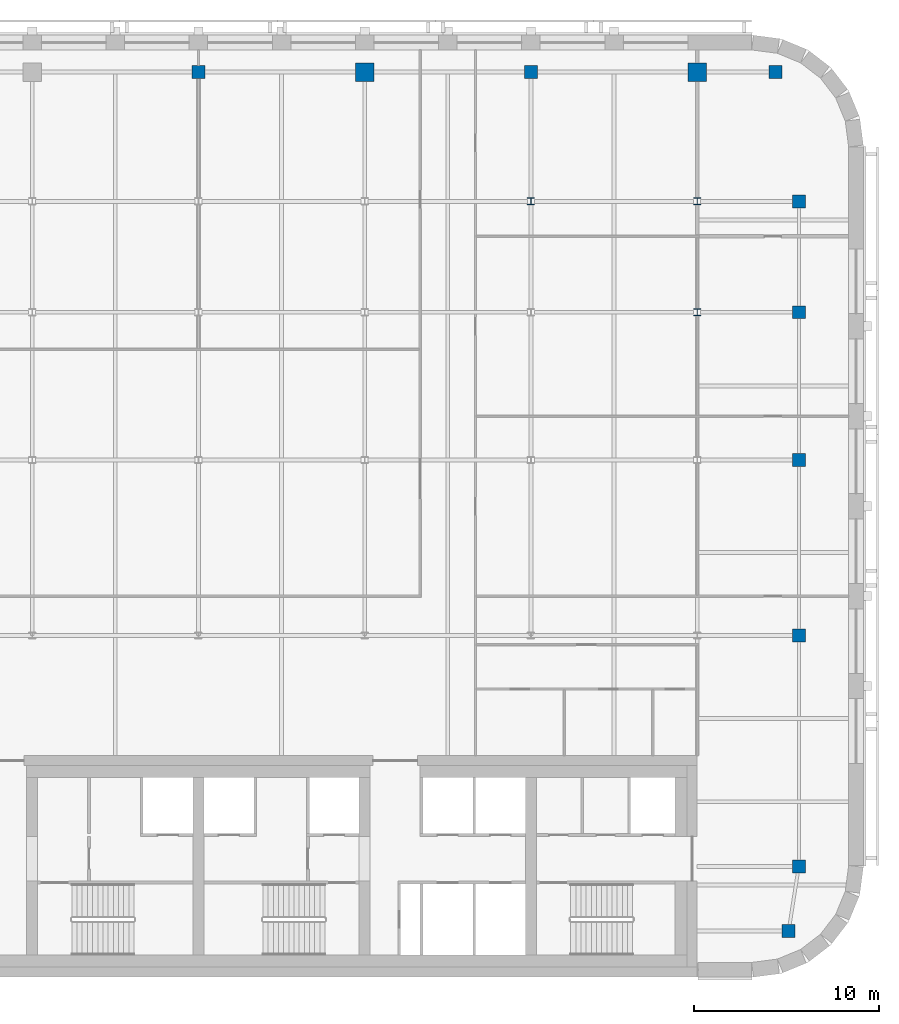
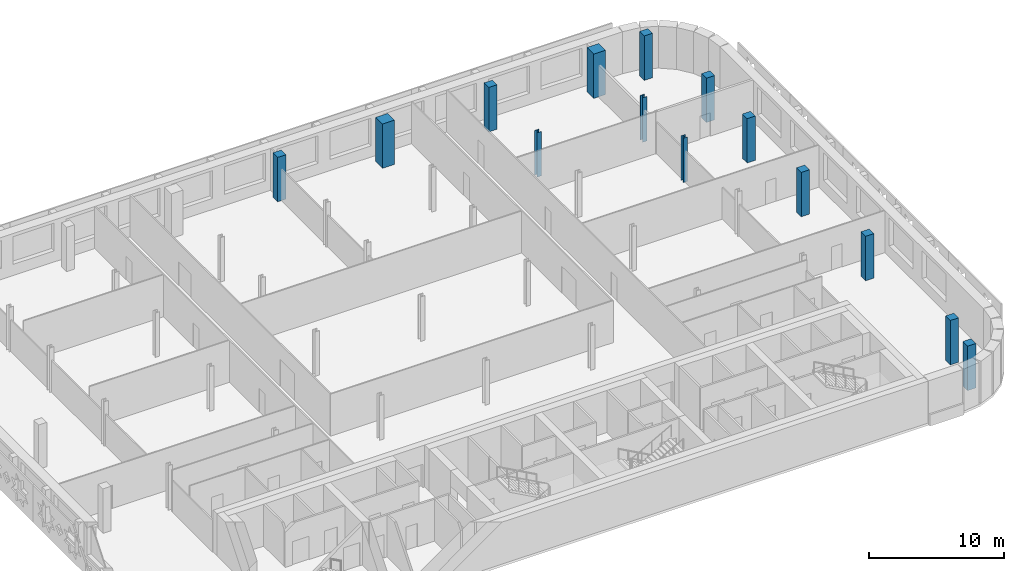
# One storey, part 4 of 16: 14 columns.
"""IFC4 building model written with IfcOpenShell, lengths in metres."""

from ifc_helpers import new_model, si_unit, direction, frame, origin, origin_2d, place, context, subcontext, project, spatial, rectangle, i_section, extrude, material, material_profile, profile_set, type_object, element, save


model = new_model("IFC4")

# Units and contexts
model_context = context("Model", 3, precision=1e-05, world=origin(), true_north=direction((0.0, 1.0)))
body_context = subcontext(model_context, "Body", "Model", "MODEL_VIEW")
ifc_project = project(units=[si_unit("LENGTHUNIT", "METRE"), si_unit("AREAUNIT", "SQUARE_METRE"), si_unit("VOLUMEUNIT", "CUBIC_METRE"), si_unit("PLANEANGLEUNIT", "RADIAN"), si_unit("MASSUNIT", "GRAM", prefix="KILO")], contexts=[model_context])

# Site, building, storey
site_placement = place(None, origin())
site = spatial("IfcSite", under=ifc_project, at=site_placement, CompositionType="ELEMENT")
building_placement = place(site_placement, origin())
building = spatial("IfcBuilding", under=site, at=building_placement, Name="Zellij Exchange Tower", CompositionType="ELEMENT")
storey_placement = place(building_placement, frame((0.0, 0.0, 280.5)))
storey = spatial("IfcBuildingStorey", under=building, at=storey_placement, Name="L66", CompositionType="ELEMENT", Elevation=280.5)

# Columns
ifc_material_1 = material(Name="Concrete C50/60", Category="concrete")
ifc_material_profile_1 = material_profile(ifc_material_1, rectangle(XDim=0.699951171875, YDim=0.699951171875, at=origin_2d()), Name="STR-COLUMN RC700x700 C50/60")
ifc_profile_set_1 = profile_set([ifc_material_profile_1], Name="Concrete C50/60")
column_type_1 = type_object("IfcColumnType", Name="STR-COLUMN RC700x700 C50/60", PredefinedType="COLUMN", material=ifc_profile_set_1)
for number, where, z_axis, x_axis, name in (
    (1, (31.949951171875, -11.5, 0.0), (0.0, 0.0, 1.0), (1.0, 0.0, 0.0), "C14"),
    (2, (32.5, -8.0, 0.0), (0.0, 0.0, 1.0), (1.0, 0.0, 0.0), "C14"),
    (3, (32.5, 4.5, 0.0), (0.0, 0.0, 1.0), (1.0, 0.0, 0.0), "C14"),
    (4, (32.5, 14.0, 0.0), (0.0, 0.0, 1.0), (1.0, 0.0, 0.0), "C14"),
    (5, (32.5, 22.0, 0.0), (0.0, 0.0, 1.0), (1.0, 0.0, 0.0), "C14"),
    (6, (32.5, 28.0, 0.0), (0.0, 0.0, 1.0), (1.0, 0.0, 0.0), "C14"),
    (7, (0.0, 35.0, 0.0), (0.0, 0.0, 1.0), (1.0, 0.0, 0.0), "C14"),
    (8, (18.0, 35.0, 0.0), (0.0, 0.0, 1.0), (1.0, 0.0, 0.0), "C14"),
    (9, (31.25, 35.0, 0.0), (0.0, 0.0, 1.0), (1.0, 0.0, 0.0), "C14"),
):
    element("IfcColumn", number, at=place(storey_placement, frame(where, z_axis=z_axis, x_axis=x_axis)), inside=storey, type_object=column_type_1, Name=name, PredefinedType="COLUMN", context=body_context, shape_type="SweptSolid", body=[
        extrude(rectangle(XDim=0.699951171875, YDim=0.699951171875, at=origin_2d()), origin(), (0.0, 0.0, 1.0), 4.0),
    ])
ifc_material_2 = material(Name="Structural steel ASTM A992 Gr 50", Category="steel")
ifc_material_profile_2 = material_profile(ifc_material_2, i_section(OverallWidth=0.373291015625, OverallDepth=0.373291015625, WebThickness=0.016357421875, FlangeThickness=0.026123046875, at=origin_2d()), Name="W14x132")
ifc_profile_set_2 = profile_set([ifc_material_profile_2], Name="Structural steel ASTM A992 Gr 50")
column_type_2 = type_object("IfcColumnType", Name="STR-COLUMN W14x132", PredefinedType="COLUMN", material=ifc_profile_set_2)
for number, where, z_axis, x_axis, name in (
    (10, (27.0, 22.0, 0.0), (0.0, 0.0, 1.0), (1.0, 0.0, 0.0), "C1"),
    (11, (18.0, 28.0, 0.0), (0.0, 0.0, 1.0), (1.0, 0.0, 0.0), "C1"),
    (12, (27.0, 28.0, 0.0), (0.0, 0.0, 1.0), (1.0, 0.0, 0.0), "C1"),
):
    element("IfcColumn", number, at=place(storey_placement, frame(where, z_axis=z_axis, x_axis=x_axis)), inside=storey, type_object=column_type_2, Name=name, PredefinedType="COLUMN", context=body_context, shape_type="SweptSolid", body=[
        extrude(i_section(OverallWidth=0.373291015625, OverallDepth=0.373291015625, WebThickness=0.016357421875, FlangeThickness=0.026123046875, at=origin_2d()), origin(), (0.0, 0.0, 1.0), 4.0),
    ])
ifc_material_profile_3 = material_profile(ifc_material_1, rectangle(XDim=1.0, YDim=1.0, at=origin_2d()), Name="STR-MEGA COLUMN RC1000x1000 C50/60")
ifc_profile_set_3 = profile_set([ifc_material_profile_3], Name="Concrete C50/60")
column_type_3 = type_object("IfcColumnType", Name="STR-MEGA COLUMN RC1000x1000 C50/60", PredefinedType="COLUMN", material=ifc_profile_set_3)
for number, where, z_axis, x_axis, name in (
    (13, (9.0, 35.0, 0.0), (0.0, 0.0, 1.0), (1.0, 0.0, 0.0), "MC1"),
    (14, (27.0, 35.0, 0.0), (0.0, 0.0, 1.0), (1.0, 0.0, 0.0), "MC1"),
):
    element("IfcColumn", number, at=place(storey_placement, frame(where, z_axis=z_axis, x_axis=x_axis)), inside=storey, type_object=column_type_3, Name=name, PredefinedType="COLUMN", context=body_context, shape_type="SweptSolid", body=[
        extrude(rectangle(XDim=1.0, YDim=1.0, at=origin_2d()), origin(), (0.0, 0.0, 1.0), 4.0),
    ])

save(model, "model.ifc")
